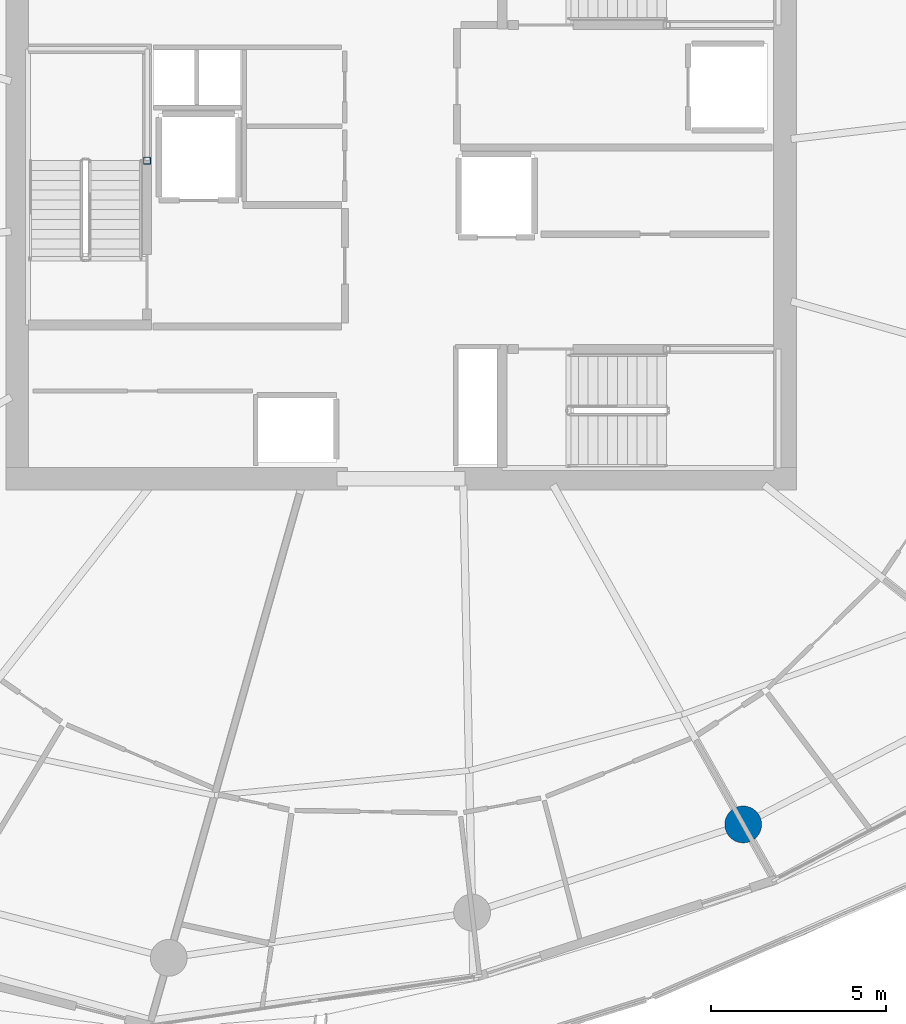
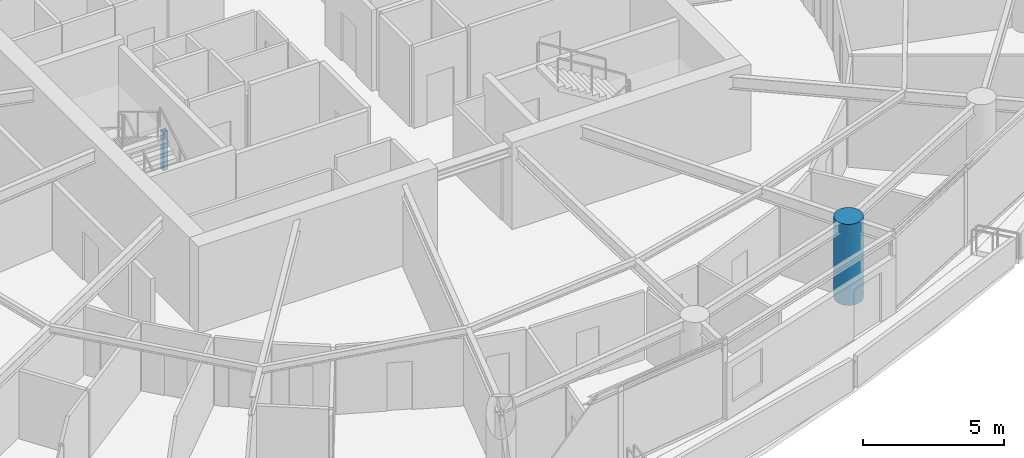
# One storey, part 2 of 21: 2 columns.
"""IFC4 building model written with IfcOpenShell, lengths in metres."""

from ifc_helpers import new_model, si_unit, direction, frame, origin, origin_2d, place, context, subcontext, project, spatial, hollow_rectangle, circle, extrude, material, material_profile, profile_set, type_object, element, save


model = new_model("IFC4")

# Units and contexts
model_context = context("Model", 3, precision=1e-05, world=origin(), true_north=direction((0.0, 1.0)))
body_context = subcontext(model_context, "Body", "Model", "MODEL_VIEW")
ifc_project = project(units=[si_unit("LENGTHUNIT", "METRE"), si_unit("AREAUNIT", "SQUARE_METRE"), si_unit("VOLUMEUNIT", "CUBIC_METRE"), si_unit("PLANEANGLEUNIT", "RADIAN"), si_unit("MASSUNIT", "GRAM", prefix="KILO")], contexts=[model_context])

# Site, building, storey
site_placement = place(None, origin())
site = spatial("IfcSite", under=ifc_project, at=site_placement, CompositionType="ELEMENT")
building_placement = place(site_placement, origin())
building = spatial("IfcBuilding", under=site, at=building_placement, Name="Kazma Halo Residences", CompositionType="ELEMENT")
storey_placement = place(building_placement, frame((0.0, 0.0, 176.550048828125)))
storey = spatial("IfcBuildingStorey", under=building, at=storey_placement, Name="L44", CompositionType="ELEMENT", Elevation=176.550048828125)

# Columns
ifc_material_1 = material(Name="Steel S355", Category="steel")
ifc_material_profile_1 = material_profile(ifc_material_1, hollow_rectangle(XDim=0.199951171875, YDim=0.199951171875, WallThickness=0.010009765625, InnerFilletRadius=0.010009765625, OuterFilletRadius=0.02001953125, at=origin_2d()), Name="SHS200x200x10")
ifc_profile_set_1 = profile_set([ifc_material_profile_1], Name="Steel S355")
column_type_1 = type_object("IfcColumnType", Name="COL-LP-SHS200", PredefinedType="COLUMN", material=ifc_profile_set_1)
column_1_placement = place(storey_placement, frame((41.179931640625, 42.75, 0.0), z_axis=(0.0, 0.0, 1.0), x_axis=(1.0, 0.0, 0.0)))
element("IfcColumn", 1, at=column_1_placement, inside=storey, type_object=column_type_1, Name="L44 ST-01 landing pilaster 1", PredefinedType="COLUMN", context=body_context, shape_type="SweptSolid", body=[
    extrude(hollow_rectangle(XDim=0.199951171875, YDim=0.199951171875, WallThickness=0.010009765625, InnerFilletRadius=0.010009765625, OuterFilletRadius=0.02001953125, at=origin_2d()), origin(), (0.0, 0.0, 1.0), 1.669921875),
])
ifc_material_2 = material(Name="Concrete C80/95", Category="concrete")
ifc_material_profile_2 = material_profile(ifc_material_2, circle(Radius=0.52490234375, at=origin_2d()), Name="CIRC1050")
ifc_profile_set_2 = profile_set([ifc_material_profile_2], Name="Concrete C80/95")
column_type_2 = type_object("IfcColumnType", Name="COL-PERIM-1050", PredefinedType="COLUMN", material=ifc_profile_set_2)
column_2_placement = place(storey_placement, frame((58.184814453125, 23.813720703125, 0.0), z_axis=(0.0, 0.0, 1.0), x_axis=(1.0, 0.0, 0.0)))
element("IfcColumn", 2, at=column_2_placement, inside=storey, type_object=column_type_2, Name="L44 perimeter ring column P13", PredefinedType="COLUMN", context=body_context, shape_type="SweptSolid", body=[
    extrude(circle(Radius=0.52490234375, at=origin_2d()), origin(), (0.0, 0.0, 1.0), 3.5),
])

save(model, "model.ifc")
